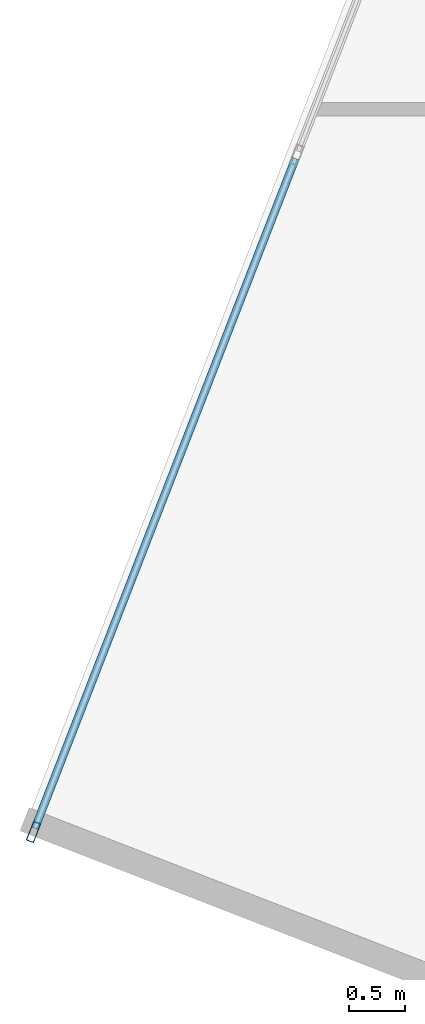
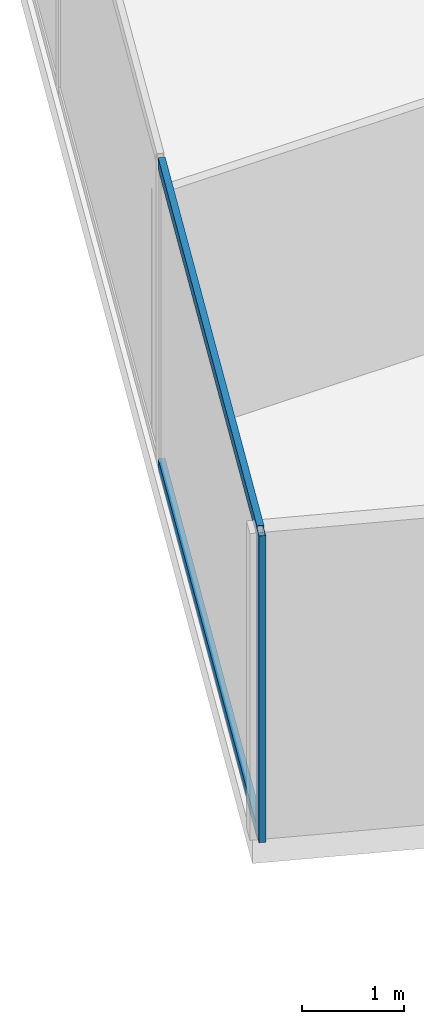
# One storey, part 5 of 26: 3 members, 1 element without a shape of its own.
"""IFC4 building model written with IfcOpenShell, lengths in metres."""

from ifc_helpers import new_model, si_unit, direction, frame, origin, origin_2d, place, context, subcontext, project, spatial, hollow_rectangle, extrude, source, transform, mapped, material, material_profile, profile_set, type_object, type_shapes, element, aggregate, save


model = new_model("IFC4")

# Units and contexts
model_context = context("Model", 3, precision=1e-05, world=origin(), true_north=direction((0.0, 1.0)))
body_context = subcontext(model_context, "Body", "Model", "MODEL_VIEW")
ifc_project = project(units=[si_unit("LENGTHUNIT", "METRE"), si_unit("AREAUNIT", "SQUARE_METRE"), si_unit("VOLUMEUNIT", "CUBIC_METRE"), si_unit("PLANEANGLEUNIT", "RADIAN"), si_unit("MASSUNIT", "GRAM", prefix="KILO")], contexts=[model_context])

# Site, building, storey
site_placement = place(None, origin())
site = spatial("IfcSite", under=ifc_project, at=site_placement, CompositionType="ELEMENT")
building_placement = place(site_placement, origin())
building = spatial("IfcBuilding", under=site, at=building_placement, Name="Krantzveldt Concourse Tower", CompositionType="ELEMENT")
storey_placement = place(building_placement, frame((0.0, 0.0, 129.550048828125)))
storey = spatial("IfcBuildingStorey", under=building, at=storey_placement, Name="L31", CompositionType="ELEMENT", Elevation=129.550048828125)

# Curtain wall, members
ifc_material = material(Name="Anodised aluminium 6063-T6", Category="aluminium")
curtain_wall_type = type_object("IfcCurtainWallType", Name="CW2", PredefinedType="USERDEFINED", material=ifc_material)
curtain_wall_placement = place(storey_placement, origin())
curtain_wall = element("IfcCurtainWall", 1, at=curtain_wall_placement, inside=storey, type_object=curtain_wall_type, Name="CW-L31-F01", ObjectType="UNITISED CURTAIN WALL", PredefinedType="USERDEFINED")
ifc_material_profile_1 = material_profile(ifc_material, hollow_rectangle(XDim=0.070068359375, YDim=0.179931640625, WallThickness=0.0048828125, at=origin_2d()), Name="Anodised aluminium 6063-T6", Category="aluminium")
ifc_profile_set_1 = profile_set([ifc_material_profile_1], Name="Anodised aluminium 6063-T6 - ALU-MULL 180x70x5")
member_type_1 = type_object("IfcMemberType", Name="CW-MUL-180", PredefinedType="MULLION", material=ifc_profile_set_1)
shared_shape_1 = source(origin(), body_context, "Body", "SweptSolid", [
    extrude(hollow_rectangle(XDim=0.070068359375, YDim=0.179931640625, WallThickness=0.0048828125, at=origin_2d()), origin(), (0.0, 0.0, 1.0), 3.669921875),
])
type_shapes(member_type_1, [shared_shape_1])
member_1_placement = place(storey_placement, frame((7.25634765625, 17.10009765625, 0.0), z_axis=(0.0, 0.0, 1.0), x_axis=(0.93200790248, -0.362437952917, 0.0)))
member_1 = element("IfcMember", 2, at=member_1_placement, type_object=member_type_1, Name="CW-Z12 mullion 7", PredefinedType="MULLION", context=body_context, shape_type="MappedRepresentation", body=[
    mapped(shared_shape_1, transform((0.0, 0.0, 0.0), x_axis=(1.0, 0.0, 0.0), y_axis=(0.0, 1.0, 0.0), z_axis=(0.0, 0.0, 1.0), scale=1.0)),
])
ifc_material_profile_2 = material_profile(ifc_material, hollow_rectangle(XDim=0.070068359375, YDim=0.139892578125, WallThickness=0.0048828125, at=origin_2d()), Name="Anodised aluminium 6063-T6", Category="aluminium")
ifc_profile_set_2 = profile_set([ifc_material_profile_2], Name="Anodised aluminium 6063-T6 - ALU-TRAN 140x70x5")
member_type_2 = type_object("IfcMemberType", Name="CW-TRN-150", PredefinedType="USERDEFINED", material=ifc_profile_set_2)
shared_shape_2 = source(origin(), body_context, "Body", "SweptSolid", [
    extrude(hollow_rectangle(XDim=0.070068359375, YDim=0.139892578125, WallThickness=0.0048828125, at=origin_2d()), origin(), (0.0, 0.0, 1.0), 6.361572265625),
])
type_shapes(member_type_2, [shared_shape_2])
member_2_placement = place(storey_placement, frame((9.57470703125, 23.061767578125, 0.034912109375), z_axis=(-0.362440705101, -0.93200683221, 0.0), x_axis=(0.93200683221, -0.362440705101, 0.0)))
member_2 = element("IfcMember", 3, at=member_2_placement, type_object=member_type_2, Name="CW-Z12 transom 6.1", ObjectType="TRANSOM", PredefinedType="USERDEFINED", context=body_context, shape_type="MappedRepresentation", body=[
    mapped(shared_shape_2, transform((0.0, 0.0, 0.0), x_axis=(1.0, 0.0, 0.0), y_axis=(0.0, 1.0, 0.0), z_axis=(0.0, 0.0, 1.0), scale=1.0)),
])
member_3_placement = place(storey_placement, frame((9.57470703125, 23.061767578125, 3.635009765625), z_axis=(-0.362440705101, -0.93200683221, 0.0), x_axis=(0.93200683221, -0.362440705101, 0.0)))
member_3 = element("IfcMember", 4, at=member_3_placement, type_object=member_type_2, Name="CW-Z12 transom 6.2", ObjectType="TRANSOM", PredefinedType="USERDEFINED", context=body_context, shape_type="MappedRepresentation", body=[
    mapped(shared_shape_2, transform((0.0, 0.0, 0.0), x_axis=(1.0, 0.0, 0.0), y_axis=(0.0, 1.0, 0.0), z_axis=(0.0, 0.0, 1.0), scale=1.0)),
])
aggregate(curtain_wall, [member_1, member_2, member_3])

save(model, "model.ifc")
